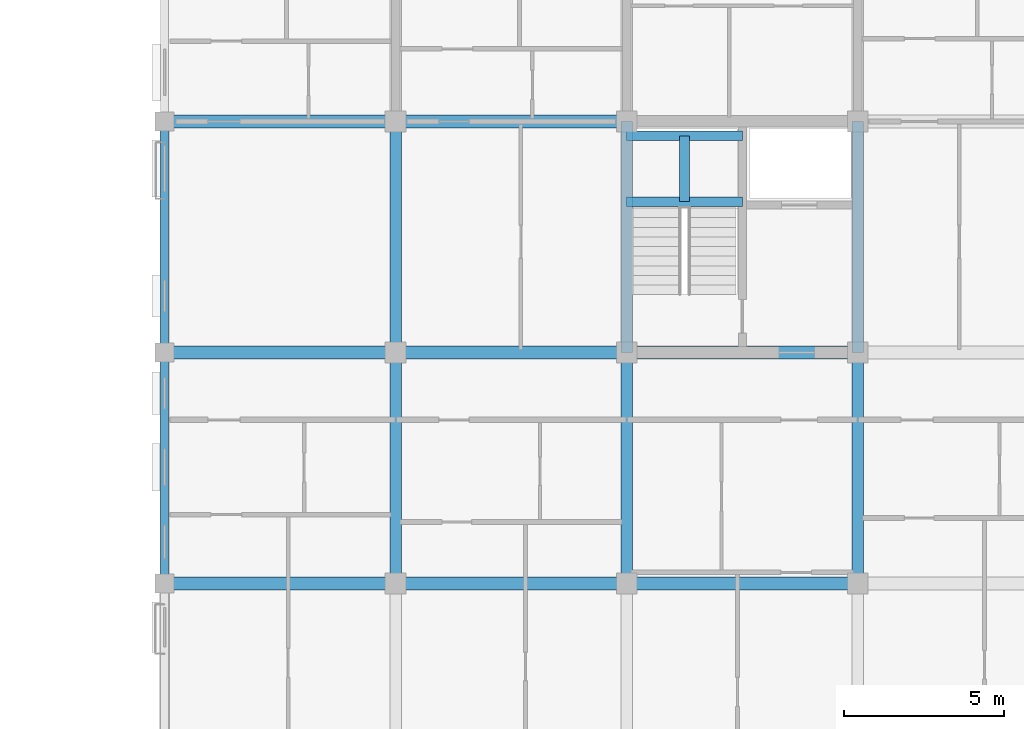
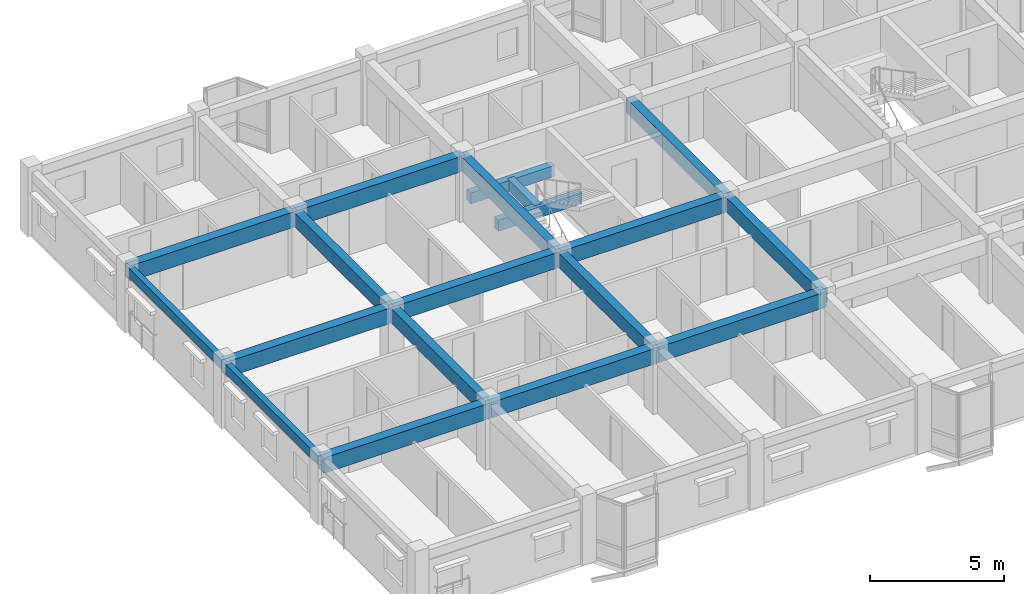
# One storey, part 61 of 124: 19 beams.
"""IFC4 building model written with IfcOpenShell, lengths in metres."""

from ifc_helpers import new_model, si_unit, direction, frame, origin, origin_2d, place, context, subcontext, project, spatial, rectangle, extrude, material, material_profile, profile_set, type_object, element, save


model = new_model("IFC4")

# Units and contexts
model_context = context("Model", 3, precision=1e-05, world=origin(), true_north=direction((0.0, 1.0)))
body_context = subcontext(model_context, "Body", "Model", "MODEL_VIEW")
ifc_project = project(units=[si_unit("LENGTHUNIT", "METRE"), si_unit("AREAUNIT", "SQUARE_METRE"), si_unit("VOLUMEUNIT", "CUBIC_METRE"), si_unit("PLANEANGLEUNIT", "RADIAN"), si_unit("MASSUNIT", "GRAM", prefix="KILO"), si_unit("THERMODYNAMICTEMPERATUREUNIT", "KELVIN"), si_unit("POWERUNIT", "WATT")], contexts=[model_context])

# Site, building, storey
site_placement = place(None, origin())
site = spatial("IfcSite", under=ifc_project, at=site_placement, CompositionType="ELEMENT")
building_placement = place(site_placement, origin())
building = spatial("IfcBuilding", under=site, at=building_placement, Name="Tavuni Mirador Residences", CompositionType="ELEMENT")
storey_placement = place(building_placement, frame((0.0, 0.0, 7.64990234375)))
storey = spatial("IfcBuildingStorey", under=building, at=storey_placement, Name="L02", CompositionType="ELEMENT", Elevation=7.64990234375)

# Beams
ifc_material = material(Name="Precast concrete C40/50", Category="concrete")
ifc_material_profile_1 = material_profile(ifc_material, rectangle(XDim=0.300048828125, YDim=0.5, at=origin_2d()), Name="PC 300x500", Category="concrete")
ifc_profile_set_1 = profile_set([ifc_material_profile_1], Name="Precast concrete C40/50")
beam_type_1 = type_object("IfcBeamType", Name="BT-B500", PredefinedType="BEAM", material=ifc_profile_set_1)
for number, where, z_axis, x_axis, name in (
    (1, (25.199951171875, 163.10009765625, 1.14501953125), (1.0, 0.0, 0.0), (0.0, 1.0, 0.0), "HLB1-C5-L02"),
    (2, (25.199951171875, 165.14990234375, 1.14501953125), (1.0, 0.0, 0.0), (0.0, 1.0, 0.0), "HLB2-C5-L02"),
):
    element("IfcBeam", number, at=place(storey_placement, frame(where, z_axis=z_axis, x_axis=x_axis)), inside=storey, type_object=beam_type_1, Name=name, PredefinedType="BEAM", context=body_context, shape_type="SweptSolid", body=[
        extrude(rectangle(XDim=0.300048828125, YDim=0.5, at=origin_2d()), origin(), (0.0, 0.0, 1.0), 3.60009765625),
    ])
beam_1_placement = place(storey_placement, frame((27.0, 163.10009765625, 1.14501953125), z_axis=(0.0, 1.0, 0.0), x_axis=(-1.0, 0.0, 0.0)))
element("IfcBeam", 3, at=beam_1_placement, inside=storey, type_object=beam_type_1, Name="HLB3-C5-L02", PredefinedType="BEAM", context=body_context, shape_type="SweptSolid", body=[
    extrude(rectangle(XDim=0.300048828125, YDim=0.5, at=origin_2d()), origin(), (0.0, 0.0, 1.0), 2.0498046875),
])
ifc_material_profile_2 = material_profile(ifc_material, rectangle(XDim=0.35009765625, YDim=0.64990234375, at=origin_2d()), Name="PC 350x650", Category="concrete")
ifc_profile_set_2 = profile_set([ifc_material_profile_2], Name="Precast concrete C40/50")
beam_type_2 = type_object("IfcBeamType", Name="BT-B650", PredefinedType="BEAM", material=ifc_profile_set_2)
beam_2_placement = place(storey_placement, frame((18.0, 151.199951171875, 2.56005859375), z_axis=(0.0, 1.0, 0.0), x_axis=(-1.0, 0.0, 0.0)))
element("IfcBeam", 4, at=beam_2_placement, inside=storey, type_object=beam_type_2, Name="BMY-BLK-C-L02-01-01", PredefinedType="BEAM", context=body_context, shape_type="SweptSolid", body=[
    extrude(rectangle(XDim=0.35009765625, YDim=0.64990234375, at=origin_2d()), origin(), (0.0, 0.0, 1.0), 7.199951171875),
])
beam_3_placement = place(storey_placement, frame((18.0, 158.39990234375, 2.56005859375), z_axis=(0.0, 1.0, 0.0), x_axis=(-1.0, 0.0, 0.0)))
element("IfcBeam", 5, at=beam_3_placement, inside=storey, type_object=beam_type_2, Name="BMY-BLK-C-L02-01-02", PredefinedType="BEAM", context=body_context, shape_type="SweptSolid", body=[
    extrude(rectangle(XDim=0.35009765625, YDim=0.64990234375, at=origin_2d()), origin(), (0.0, 0.0, 1.0), 7.2001953125),
])
beam_4_placement = place(storey_placement, frame((25.199951171875, 151.199951171875, 2.56005859375), z_axis=(0.0, 1.0, 0.0), x_axis=(-1.0, 0.0, 0.0)))
element("IfcBeam", 6, at=beam_4_placement, inside=storey, type_object=beam_type_2, Name="BMY-BLK-C-L02-02-01", PredefinedType="BEAM", context=body_context, shape_type="SweptSolid", body=[
    extrude(rectangle(XDim=0.35009765625, YDim=0.64990234375, at=origin_2d()), origin(), (0.0, 0.0, 1.0), 7.199951171875),
])
beam_5_placement = place(storey_placement, frame((25.199951171875, 158.39990234375, 2.56005859375), z_axis=(0.0, 1.0, 0.0), x_axis=(-1.0, 0.0, 0.0)))
element("IfcBeam", 7, at=beam_5_placement, inside=storey, type_object=beam_type_2, Name="BMY-BLK-C-L02-02-02", PredefinedType="BEAM", context=body_context, shape_type="SweptSolid", body=[
    extrude(rectangle(XDim=0.35009765625, YDim=0.64990234375, at=origin_2d()), origin(), (0.0, 0.0, 1.0), 7.2001953125),
])
beam_6_placement = place(storey_placement, frame((32.39990234375, 151.199951171875, 2.56005859375), z_axis=(0.0, 1.0, 0.0), x_axis=(-1.0, 0.0, 0.0)))
element("IfcBeam", 8, at=beam_6_placement, inside=storey, type_object=beam_type_2, Name="BMY-BLK-C-L02-03-01", PredefinedType="BEAM", context=body_context, shape_type="SweptSolid", body=[
    extrude(rectangle(XDim=0.35009765625, YDim=0.64990234375, at=origin_2d()), origin(), (0.0, 0.0, 1.0), 7.199951171875),
])
beam_7_placement = place(storey_placement, frame((32.39990234375, 158.39990234375, 2.56005859375), z_axis=(0.0, 1.0, 0.0), x_axis=(-1.0, 0.0, 0.0)))
element("IfcBeam", 9, at=beam_7_placement, inside=storey, type_object=beam_type_2, Name="BMY-BLK-C-L02-03-02", PredefinedType="BEAM", context=body_context, shape_type="SweptSolid", body=[
    extrude(rectangle(XDim=0.35009765625, YDim=0.64990234375, at=origin_2d()), origin(), (0.0, 0.0, 1.0), 7.2001953125),
])
ifc_material_profile_3 = material_profile(ifc_material, rectangle(XDim=0.39990234375, YDim=0.699951171875, at=origin_2d()), Name="PC 400x700", Category="concrete")
ifc_profile_set_3 = profile_set([ifc_material_profile_3], Name="Precast concrete C40/50")
beam_type_3 = type_object("IfcBeamType", Name="BT-B700", PredefinedType="BEAM", material=ifc_profile_set_3)
for number, where, z_axis, x_axis, name in (
    (10, (10.800048828125, 151.199951171875, 2.53515625), (1.0, 0.0, 0.0), (0.0, 1.0, 0.0), "BMX-BLK-C-L02-00-01"),
    (11, (18.0, 151.199951171875, 2.53515625), (1.0, 0.0, 0.0), (0.0, 1.0, 0.0), "BMX-BLK-C-L02-01-01"),
    (12, (25.199951171875, 151.199951171875, 2.53515625), (1.0, 0.0, 0.0), (0.0, 1.0, 0.0), "BMX-BLK-C-L02-02-01"),
    (13, (10.800048828125, 158.39990234375, 2.53515625), (1.0, 0.0, 0.0), (0.0, 1.0, 0.0), "BMX-BLK-C-L02-00-02"),
    (14, (18.0, 158.39990234375, 2.53515625), (1.0, 0.0, 0.0), (0.0, 1.0, 0.0), "BMX-BLK-C-L02-01-02"),
    (15, (25.199951171875, 158.39990234375, 2.53515625), (1.0, 0.0, 0.0), (0.0, 1.0, 0.0), "BMX-BLK-C-L02-02-02"),
    (16, (10.800048828125, 165.60009765625, 2.53515625), (1.0, 0.0, 0.0), (0.0, 1.0, 0.0), "BMX-BLK-C-L02-00-03"),
    (17, (18.0, 165.60009765625, 2.53515625), (1.0, 0.0, 0.0), (0.0, 1.0, 0.0), "BMX-BLK-C-L02-01-03"),
):
    element("IfcBeam", number, at=place(storey_placement, frame(where, z_axis=z_axis, x_axis=x_axis)), inside=storey, type_object=beam_type_3, Name=name, PredefinedType="BEAM", context=body_context, shape_type="SweptSolid", body=[
        extrude(rectangle(XDim=0.39990234375, YDim=0.699951171875, at=origin_2d()), origin(), (0.0, 0.0, 1.0), 7.199951171875),
    ])
ifc_material_profile_4 = material_profile(ifc_material, rectangle(XDim=0.25, YDim=0.419921875, at=origin_2d()), Name="PC 250x420", Category="concrete")
ifc_profile_set_4 = profile_set([ifc_material_profile_4], Name="Precast concrete C40/50")
beam_type_4 = type_object("IfcBeamType", Name="BT-SP420", PredefinedType="SPANDREL", material=ifc_profile_set_4)
beam_8_placement = place(storey_placement, frame((10.800048828125, 151.199951171875, 2.675048828125), z_axis=(0.0, 1.0, 0.0), x_axis=(-1.0, 0.0, 0.0)))
element("IfcBeam", 18, at=beam_8_placement, inside=storey, type_object=beam_type_4, Name="BMY-BLK-C-L02-00-01", PredefinedType="SPANDREL", context=body_context, shape_type="SweptSolid", body=[
    extrude(rectangle(XDim=0.25, YDim=0.419921875, at=origin_2d()), origin(), (0.0, 0.0, 1.0), 7.199951171875),
])
beam_9_placement = place(storey_placement, frame((10.800048828125, 158.39990234375, 2.675048828125), z_axis=(0.0, 1.0, 0.0), x_axis=(-1.0, 0.0, 0.0)))
element("IfcBeam", 19, at=beam_9_placement, inside=storey, type_object=beam_type_4, Name="BMY-BLK-C-L02-00-02", PredefinedType="SPANDREL", context=body_context, shape_type="SweptSolid", body=[
    extrude(rectangle(XDim=0.25, YDim=0.419921875, at=origin_2d()), origin(), (0.0, 0.0, 1.0), 7.2001953125),
])

save(model, "model.ifc")
